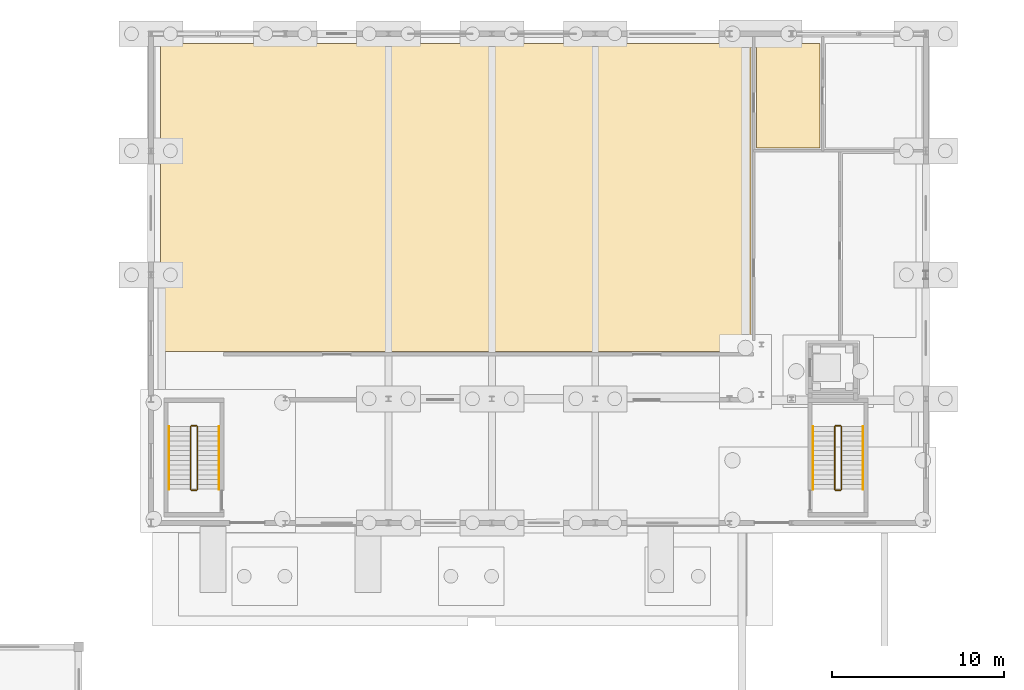
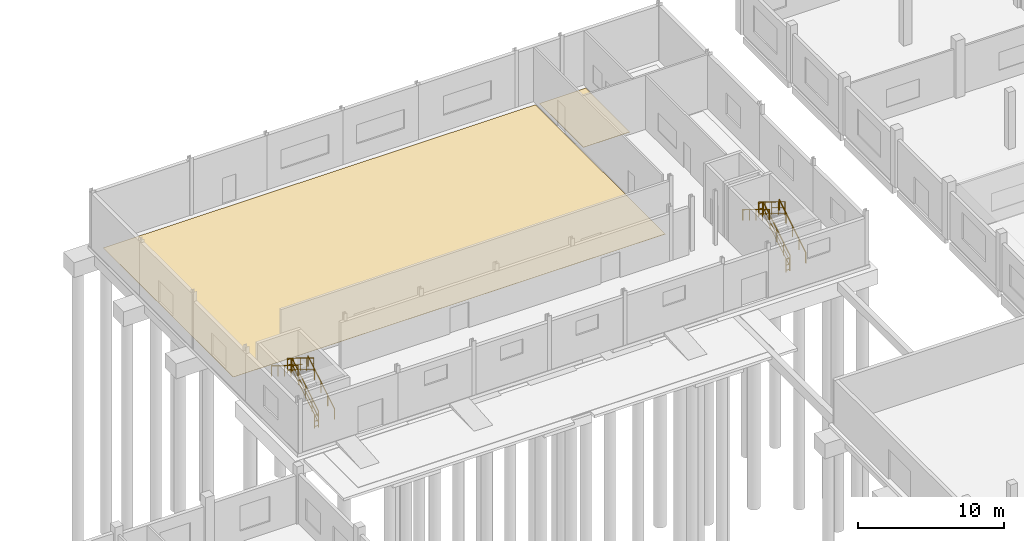
# One storey, part 88 of 91: 12 railings, 2 coverings.
"""IFC4 building model written with IfcOpenShell, lengths in metres."""

from ifc_helpers import new_model, si_unit, direction, frame, origin, origin_2d, place, context, subcontext, project, spatial, polyline, circle, outline, extrude, material, layer, layer_set, type_object, element, save


model = new_model("IFC4")

# Units and contexts
model_context = context("Model", 3, precision=1e-05, world=origin(), true_north=direction((0.0, 1.0)))
body_context = subcontext(model_context, "Body", "Model", "MODEL_VIEW")
ifc_project = project(units=[si_unit("LENGTHUNIT", "METRE"), si_unit("AREAUNIT", "SQUARE_METRE"), si_unit("VOLUMEUNIT", "CUBIC_METRE"), si_unit("PLANEANGLEUNIT", "RADIAN"), si_unit("MASSUNIT", "GRAM", prefix="KILO")], contexts=[model_context])

# Site, building, storey
site_placement = place(None, origin())
site = spatial("IfcSite", under=ifc_project, at=site_placement, CompositionType="ELEMENT")
building_placement = place(site_placement, origin())
building = spatial("IfcBuilding", under=site, at=building_placement, Name="Vinh Khe Railworks Police Headquarters", CompositionType="ELEMENT")
storey_placement = place(building_placement, origin())
storey = spatial("IfcBuildingStorey", under=building, at=storey_placement, Name="L00", CompositionType="ELEMENT", Elevation=0.0)

# Coverings
ifc_material_1 = material(Name="Honed granite terrazzo flooring", Category="masonry")
ifc_layer = layer(ifc_material_1, 0.02001953125)
ifc_layer_set = layer_set([ifc_layer], Name="Honed granite terrazzo flooring")
covering_type = type_object("IfcCoveringType", Name="COV-FLR-TERRAZZO", PredefinedType="FLOORING", material=ifc_layer_set)
covering_1_placement = place(storey_placement, origin())
element("IfcCovering", 1, at=covering_1_placement, inside=storey, type_object=covering_type, Name="Terrazzo Floor Finish Tactical Gymnasium Hall", PredefinedType="FLOORING", context=body_context, shape_type="SweptSolid", body=[
    extrude(outline(polyline([(61.239990234375, 165.840087890625), (26.9599609375, 165.840087890625), (26.9599609375, 147.9599609375), (61.239990234375, 147.9599609375), (61.239990234375, 165.840087890625)])), origin(), (0.0, 0.0, 1.0), 0.02001953125),
])
covering_2_placement = place(storey_placement, origin())
element("IfcCovering", 2, at=covering_2_placement, inside=storey, type_object=covering_type, Name="Terrazzo Floor Finish Gymnasium Accessible WC", PredefinedType="FLOORING", context=body_context, shape_type="SweptSolid", body=[
    extrude(outline(polyline([(65.239990234375, 165.840087890625), (61.56005859375, 165.840087890625), (61.56005859375, 159.760009765625), (65.239990234375, 159.760009765625), (65.239990234375, 165.840087890625)])), origin(), (0.0, 0.0, 1.0), 0.02001953125),
])

# Railings
ifc_material_2 = material(Name="Painted tubular steel", Category="steel")
railing_type_1 = type_object("IfcRailingType", Name="RL-GUARD-1100", PredefinedType="GUARDRAIL", material=ifc_material_2)
railing_1_placement = place(storey_placement, frame((66.5, 139.949951171875, 0.17138671875)))
element("IfcRailing", 3, at=railing_1_placement, inside=storey, type_object=railing_type_1, Name="L00 ST-06 stair guard 1", PredefinedType="GUARDRAIL", context=body_context, shape_type="SweptSolid", body=[
    extrude(circle(Radius=0.02392578125, at=origin_2d()), frame((0.0, 0.0, 1.076171875), z_axis=(0.0, 0.852865859571, 0.52213008492), x_axis=(-1.0, 0.0, 0.0)), (0.0, 0.0, 1.0), 4.26806640625),
    extrude(circle(Radius=0.01416015625, at=origin_2d()), frame((0.0, 0.0, 0.132080078125), z_axis=(0.0, 0.852865859571, 0.52213008492), x_axis=(-1.0, 0.0, 0.0)), (0.0, 0.0, 1.0), 4.26806640625),
    extrude(circle(Radius=0.01416015625, at=origin_2d()), frame((0.0, 0.0, 0.572021484375), z_axis=(0.0, 0.852865859571, 0.52213008492), x_axis=(-1.0, 0.0, 0.0)), (0.0, 0.0, 1.0), 4.26806640625),
    extrude(circle(Radius=0.02099609375, at=origin_2d()), origin(), (0.0, 0.0, 1.0), 1.052001953125),
    extrude(circle(Radius=0.02099609375, at=origin_2d()), frame((0.0, 0.91015625, 0.55712890625)), (0.0, 0.0, 1.0), 1.052001953125),
    extrude(circle(Radius=0.02099609375, at=origin_2d()), frame((0.0, 1.820068359375, 1.1142578125)), (0.0, 0.0, 1.0), 1.052001953125),
    extrude(circle(Radius=0.02099609375, at=origin_2d()), frame((0.0, 2.72998046875, 1.67138671875)), (0.0, 0.0, 1.0), 1.052001953125),
    extrude(circle(Radius=0.02099609375, at=origin_2d()), frame((0.0, 3.64013671875, 2.228515625)), (0.0, 0.0, 1.0), 1.052001953125),
])
railing_2_placement = place(storey_placement, frame((66.449951171875, 143.639892578125, 2.39990234375)))
element("IfcRailing", 4, at=railing_2_placement, inside=storey, type_object=railing_type_1, Name="L00 ST-06 stair guard 2", PredefinedType="GUARDRAIL", context=body_context, shape_type="SweptSolid", body=[
    extrude(circle(Radius=0.02392578125, at=origin_2d()), frame((0.0, 0.0, 1.076171875), z_axis=(-1.0, 0.0, 0.0), x_axis=(0.0, -1.0, 0.0)), (0.0, 0.0, 1.0), 0.300048828125),
    extrude(circle(Radius=0.01416015625, at=origin_2d()), frame((0.0, 0.0, 0.132080078125), z_axis=(-1.0, 0.0, 0.0), x_axis=(0.0, -1.0, 0.0)), (0.0, 0.0, 1.0), 0.300048828125),
    extrude(circle(Radius=0.01416015625, at=origin_2d()), frame((0.0, 0.0, 0.572021484375), z_axis=(-1.0, 0.0, 0.0), x_axis=(0.0, -1.0, 0.0)), (0.0, 0.0, 1.0), 0.300048828125),
    extrude(circle(Radius=0.02099609375, at=origin_2d()), origin(), (0.0, 0.0, 1.0), 1.052001953125),
    extrude(circle(Radius=0.02099609375, at=origin_2d()), frame((-0.300048828125, 0.0, 0.0)), (0.0, 0.0, 1.0), 1.052001953125),
])
railing_3_placement = place(storey_placement, frame((66.10009765625, 143.590087890625, 2.571533203125)))
element("IfcRailing", 5, at=railing_3_placement, inside=storey, type_object=railing_type_1, Name="L00 ST-06 stair guard 3", PredefinedType="GUARDRAIL", context=body_context, shape_type="SweptSolid", body=[
    extrude(circle(Radius=0.02392578125, at=origin_2d()), frame((0.0, 0.0, 1.076171875), z_axis=(0.0, -0.852865859571, 0.52213008492), x_axis=(1.0, 0.0, 0.0)), (0.0, 0.0, 1.0), 4.26806640625),
    extrude(circle(Radius=0.01416015625, at=origin_2d()), frame((0.0, 0.0, 0.132080078125), z_axis=(0.0, -0.852865859571, 0.52213008492), x_axis=(1.0, 0.0, 0.0)), (0.0, 0.0, 1.0), 4.26806640625),
    extrude(circle(Radius=0.01416015625, at=origin_2d()), frame((0.0, 0.0, 0.572021484375), z_axis=(0.0, -0.852865859571, 0.52213008492), x_axis=(1.0, 0.0, 0.0)), (0.0, 0.0, 1.0), 4.26806640625),
    extrude(circle(Radius=0.02099609375, at=origin_2d()), origin(), (0.0, 0.0, 1.0), 1.052001953125),
    extrude(circle(Radius=0.02099609375, at=origin_2d()), frame((0.0, -0.91015625, 0.55712890625)), (0.0, 0.0, 1.0), 1.052001953125),
    extrude(circle(Radius=0.02099609375, at=origin_2d()), frame((0.0, -1.820068359375, 1.1142578125)), (0.0, 0.0, 1.0), 1.052001953125),
    extrude(circle(Radius=0.02099609375, at=origin_2d()), frame((0.0, -2.72998046875, 1.67138671875)), (0.0, 0.0, 1.0), 1.052001953125),
    extrude(circle(Radius=0.02099609375, at=origin_2d()), frame((0.0, -3.64013671875, 2.228515625)), (0.0, 0.0, 1.0), 1.052001953125),
])
railing_4_placement = place(storey_placement, frame((66.449951171875, 139.89990234375, 0.0)))
element("IfcRailing", 6, at=railing_4_placement, inside=storey, type_object=railing_type_1, Name="L00 ST-06 stair guard 4", PredefinedType="GUARDRAIL", context=body_context, shape_type="SweptSolid", body=[
    extrude(circle(Radius=0.02392578125, at=origin_2d()), frame((0.0, 0.0, 1.076171875), z_axis=(-1.0, 0.0, 0.0), x_axis=(0.0, -1.0, 0.0)), (0.0, 0.0, 1.0), 0.300048828125),
    extrude(circle(Radius=0.01416015625, at=origin_2d()), frame((0.0, 0.0, 0.132080078125), z_axis=(-1.0, 0.0, 0.0), x_axis=(0.0, -1.0, 0.0)), (0.0, 0.0, 1.0), 0.300048828125),
    extrude(circle(Radius=0.01416015625, at=origin_2d()), frame((0.0, 0.0, 0.572021484375), z_axis=(-1.0, 0.0, 0.0), x_axis=(0.0, -1.0, 0.0)), (0.0, 0.0, 1.0), 0.300048828125),
    extrude(circle(Radius=0.02099609375, at=origin_2d()), origin(), (0.0, 0.0, 1.0), 1.052001953125),
    extrude(circle(Radius=0.02099609375, at=origin_2d()), frame((-0.300048828125, 0.0, 0.0)), (0.0, 0.0, 1.0), 1.052001953125),
])
railing_5_placement = place(storey_placement, frame((29.10009765625, 139.949951171875, 0.17138671875)))
element("IfcRailing", 7, at=railing_5_placement, inside=storey, type_object=railing_type_1, Name="L00 ST-07 stair guard 1", PredefinedType="GUARDRAIL", context=body_context, shape_type="SweptSolid", body=[
    extrude(circle(Radius=0.02392578125, at=origin_2d()), frame((0.0, 0.0, 1.076171875), z_axis=(0.0, 0.852865859571, 0.52213008492), x_axis=(-1.0, 0.0, 0.0)), (0.0, 0.0, 1.0), 4.26806640625),
    extrude(circle(Radius=0.01416015625, at=origin_2d()), frame((0.0, 0.0, 0.132080078125), z_axis=(0.0, 0.852865859571, 0.52213008492), x_axis=(-1.0, 0.0, 0.0)), (0.0, 0.0, 1.0), 4.26806640625),
    extrude(circle(Radius=0.01416015625, at=origin_2d()), frame((0.0, 0.0, 0.572021484375), z_axis=(0.0, 0.852865859571, 0.52213008492), x_axis=(-1.0, 0.0, 0.0)), (0.0, 0.0, 1.0), 4.26806640625),
    extrude(circle(Radius=0.02099609375, at=origin_2d()), origin(), (0.0, 0.0, 1.0), 1.052001953125),
    extrude(circle(Radius=0.02099609375, at=origin_2d()), frame((0.0, 0.91015625, 0.55712890625)), (0.0, 0.0, 1.0), 1.052001953125),
    extrude(circle(Radius=0.02099609375, at=origin_2d()), frame((0.0, 1.820068359375, 1.1142578125)), (0.0, 0.0, 1.0), 1.052001953125),
    extrude(circle(Radius=0.02099609375, at=origin_2d()), frame((0.0, 2.72998046875, 1.67138671875)), (0.0, 0.0, 1.0), 1.052001953125),
    extrude(circle(Radius=0.02099609375, at=origin_2d()), frame((0.0, 3.64013671875, 2.228515625)), (0.0, 0.0, 1.0), 1.052001953125),
])
railing_6_placement = place(storey_placement, frame((29.050048828125, 143.639892578125, 2.39990234375)))
element("IfcRailing", 8, at=railing_6_placement, inside=storey, type_object=railing_type_1, Name="L00 ST-07 stair guard 2", PredefinedType="GUARDRAIL", context=body_context, shape_type="SweptSolid", body=[
    extrude(circle(Radius=0.02392578125, at=origin_2d()), frame((0.0, 0.0, 1.076171875), z_axis=(-1.0, 0.0, 0.0), x_axis=(0.0, -1.0, 0.0)), (0.0, 0.0, 1.0), 0.300048828125),
    extrude(circle(Radius=0.01416015625, at=origin_2d()), frame((0.0, 0.0, 0.132080078125), z_axis=(-1.0, 0.0, 0.0), x_axis=(0.0, -1.0, 0.0)), (0.0, 0.0, 1.0), 0.300048828125),
    extrude(circle(Radius=0.01416015625, at=origin_2d()), frame((0.0, 0.0, 0.572021484375), z_axis=(-1.0, 0.0, 0.0), x_axis=(0.0, -1.0, 0.0)), (0.0, 0.0, 1.0), 0.300048828125),
    extrude(circle(Radius=0.02099609375, at=origin_2d()), origin(), (0.0, 0.0, 1.0), 1.052001953125),
    extrude(circle(Radius=0.02099609375, at=origin_2d()), frame((-0.300048828125, 0.0, 0.0)), (0.0, 0.0, 1.0), 1.052001953125),
])
railing_7_placement = place(storey_placement, frame((28.699951171875, 143.590087890625, 2.571533203125)))
element("IfcRailing", 9, at=railing_7_placement, inside=storey, type_object=railing_type_1, Name="L00 ST-07 stair guard 3", PredefinedType="GUARDRAIL", context=body_context, shape_type="SweptSolid", body=[
    extrude(circle(Radius=0.02392578125, at=origin_2d()), frame((0.0, 0.0, 1.076171875), z_axis=(0.0, -0.852865859571, 0.52213008492), x_axis=(1.0, 0.0, 0.0)), (0.0, 0.0, 1.0), 4.26806640625),
    extrude(circle(Radius=0.01416015625, at=origin_2d()), frame((0.0, 0.0, 0.132080078125), z_axis=(0.0, -0.852865859571, 0.52213008492), x_axis=(1.0, 0.0, 0.0)), (0.0, 0.0, 1.0), 4.26806640625),
    extrude(circle(Radius=0.01416015625, at=origin_2d()), frame((0.0, 0.0, 0.572021484375), z_axis=(0.0, -0.852865859571, 0.52213008492), x_axis=(1.0, 0.0, 0.0)), (0.0, 0.0, 1.0), 4.26806640625),
    extrude(circle(Radius=0.02099609375, at=origin_2d()), origin(), (0.0, 0.0, 1.0), 1.052001953125),
    extrude(circle(Radius=0.02099609375, at=origin_2d()), frame((0.0, -0.91015625, 0.55712890625)), (0.0, 0.0, 1.0), 1.052001953125),
    extrude(circle(Radius=0.02099609375, at=origin_2d()), frame((0.0, -1.820068359375, 1.1142578125)), (0.0, 0.0, 1.0), 1.052001953125),
    extrude(circle(Radius=0.02099609375, at=origin_2d()), frame((0.0, -2.72998046875, 1.67138671875)), (0.0, 0.0, 1.0), 1.052001953125),
    extrude(circle(Radius=0.02099609375, at=origin_2d()), frame((0.0, -3.64013671875, 2.228515625)), (0.0, 0.0, 1.0), 1.052001953125),
])
railing_8_placement = place(storey_placement, frame((29.050048828125, 139.89990234375, 0.0)))
element("IfcRailing", 10, at=railing_8_placement, inside=storey, type_object=railing_type_1, Name="L00 ST-07 stair guard 4", PredefinedType="GUARDRAIL", context=body_context, shape_type="SweptSolid", body=[
    extrude(circle(Radius=0.02392578125, at=origin_2d()), frame((0.0, 0.0, 1.076171875), z_axis=(-1.0, 0.0, 0.0), x_axis=(0.0, -1.0, 0.0)), (0.0, 0.0, 1.0), 0.300048828125),
    extrude(circle(Radius=0.01416015625, at=origin_2d()), frame((0.0, 0.0, 0.132080078125), z_axis=(-1.0, 0.0, 0.0), x_axis=(0.0, -1.0, 0.0)), (0.0, 0.0, 1.0), 0.300048828125),
    extrude(circle(Radius=0.01416015625, at=origin_2d()), frame((0.0, 0.0, 0.572021484375), z_axis=(-1.0, 0.0, 0.0), x_axis=(0.0, -1.0, 0.0)), (0.0, 0.0, 1.0), 0.300048828125),
    extrude(circle(Radius=0.02099609375, at=origin_2d()), origin(), (0.0, 0.0, 1.0), 1.052001953125),
    extrude(circle(Radius=0.02099609375, at=origin_2d()), frame((-0.300048828125, 0.0, 0.0)), (0.0, 0.0, 1.0), 1.052001953125),
])
ifc_material_3 = material(Name="Brushed stainless steel", Category="steel")
railing_type_2 = type_object("IfcRailingType", Name="RL-HAND-900", PredefinedType="HANDRAIL", material=ifc_material_3)
railing_9_placement = place(storey_placement, frame((67.75, 139.949951171875, 0.17138671875)))
element("IfcRailing", 11, at=railing_9_placement, inside=storey, type_object=railing_type_2, Name="L00 ST-06 stair handrail 1", PredefinedType="HANDRAIL", context=body_context, shape_type="SweptSolid", body=[
    extrude(circle(Radius=0.02392578125, at=origin_2d()), frame((0.0, 0.0, 0.8759765625), z_axis=(0.0, 0.852865859571, 0.52213008492), x_axis=(-1.0, 0.0, 0.0)), (0.0, 0.0, 1.0), 4.26806640625),
    extrude(circle(Radius=0.02099609375, at=origin_2d()), origin(), (0.0, 0.0, 1.0), 0.851806640625),
    extrude(circle(Radius=0.02099609375, at=origin_2d()), frame((0.0, 0.91015625, 0.55712890625)), (0.0, 0.0, 1.0), 0.851806640625),
    extrude(circle(Radius=0.02099609375, at=origin_2d()), frame((0.0, 1.820068359375, 1.1142578125)), (0.0, 0.0, 1.0), 0.851806640625),
    extrude(circle(Radius=0.02099609375, at=origin_2d()), frame((0.0, 2.72998046875, 1.67138671875)), (0.0, 0.0, 1.0), 0.851806640625),
    extrude(circle(Radius=0.02099609375, at=origin_2d()), frame((0.0, 3.64013671875, 2.228515625)), (0.0, 0.0, 1.0), 0.851806640625),
])
railing_10_placement = place(storey_placement, frame((64.85009765625, 143.590087890625, 2.571533203125)))
element("IfcRailing", 12, at=railing_10_placement, inside=storey, type_object=railing_type_2, Name="L00 ST-06 stair handrail 2", PredefinedType="HANDRAIL", context=body_context, shape_type="SweptSolid", body=[
    extrude(circle(Radius=0.02392578125, at=origin_2d()), frame((0.0, 0.0, 0.8759765625), z_axis=(0.0, -0.852865859571, 0.52213008492), x_axis=(1.0, 0.0, 0.0)), (0.0, 0.0, 1.0), 4.26806640625),
    extrude(circle(Radius=0.02099609375, at=origin_2d()), origin(), (0.0, 0.0, 1.0), 0.851806640625),
    extrude(circle(Radius=0.02099609375, at=origin_2d()), frame((0.0, -0.91015625, 0.55712890625)), (0.0, 0.0, 1.0), 0.851806640625),
    extrude(circle(Radius=0.02099609375, at=origin_2d()), frame((0.0, -1.820068359375, 1.1142578125)), (0.0, 0.0, 1.0), 0.851806640625),
    extrude(circle(Radius=0.02099609375, at=origin_2d()), frame((0.0, -2.72998046875, 1.67138671875)), (0.0, 0.0, 1.0), 0.851806640625),
    extrude(circle(Radius=0.02099609375, at=origin_2d()), frame((0.0, -3.64013671875, 2.228515625)), (0.0, 0.0, 1.0), 0.851806640625),
])
railing_11_placement = place(storey_placement, frame((30.35009765625, 139.949951171875, 0.17138671875)))
element("IfcRailing", 13, at=railing_11_placement, inside=storey, type_object=railing_type_2, Name="L00 ST-07 stair handrail 1", PredefinedType="HANDRAIL", context=body_context, shape_type="SweptSolid", body=[
    extrude(circle(Radius=0.02392578125, at=origin_2d()), frame((0.0, 0.0, 0.8759765625), z_axis=(0.0, 0.852865859571, 0.52213008492), x_axis=(-1.0, 0.0, 0.0)), (0.0, 0.0, 1.0), 4.26806640625),
    extrude(circle(Radius=0.02099609375, at=origin_2d()), origin(), (0.0, 0.0, 1.0), 0.851806640625),
    extrude(circle(Radius=0.02099609375, at=origin_2d()), frame((0.0, 0.91015625, 0.55712890625)), (0.0, 0.0, 1.0), 0.851806640625),
    extrude(circle(Radius=0.02099609375, at=origin_2d()), frame((0.0, 1.820068359375, 1.1142578125)), (0.0, 0.0, 1.0), 0.851806640625),
    extrude(circle(Radius=0.02099609375, at=origin_2d()), frame((0.0, 2.72998046875, 1.67138671875)), (0.0, 0.0, 1.0), 0.851806640625),
    extrude(circle(Radius=0.02099609375, at=origin_2d()), frame((0.0, 3.64013671875, 2.228515625)), (0.0, 0.0, 1.0), 0.851806640625),
])
railing_12_placement = place(storey_placement, frame((27.449951171875, 143.590087890625, 2.571533203125)))
element("IfcRailing", 14, at=railing_12_placement, inside=storey, type_object=railing_type_2, Name="L00 ST-07 stair handrail 2", PredefinedType="HANDRAIL", context=body_context, shape_type="SweptSolid", body=[
    extrude(circle(Radius=0.02392578125, at=origin_2d()), frame((0.0, 0.0, 0.8759765625), z_axis=(0.0, -0.852865859571, 0.52213008492), x_axis=(1.0, 0.0, 0.0)), (0.0, 0.0, 1.0), 4.26806640625),
    extrude(circle(Radius=0.02099609375, at=origin_2d()), origin(), (0.0, 0.0, 1.0), 0.851806640625),
    extrude(circle(Radius=0.02099609375, at=origin_2d()), frame((0.0, -0.91015625, 0.55712890625)), (0.0, 0.0, 1.0), 0.851806640625),
    extrude(circle(Radius=0.02099609375, at=origin_2d()), frame((0.0, -1.820068359375, 1.1142578125)), (0.0, 0.0, 1.0), 0.851806640625),
    extrude(circle(Radius=0.02099609375, at=origin_2d()), frame((0.0, -2.72998046875, 1.67138671875)), (0.0, 0.0, 1.0), 0.851806640625),
    extrude(circle(Radius=0.02099609375, at=origin_2d()), frame((0.0, -3.64013671875, 2.228515625)), (0.0, 0.0, 1.0), 0.851806640625),
])

save(model, "model.ifc")
